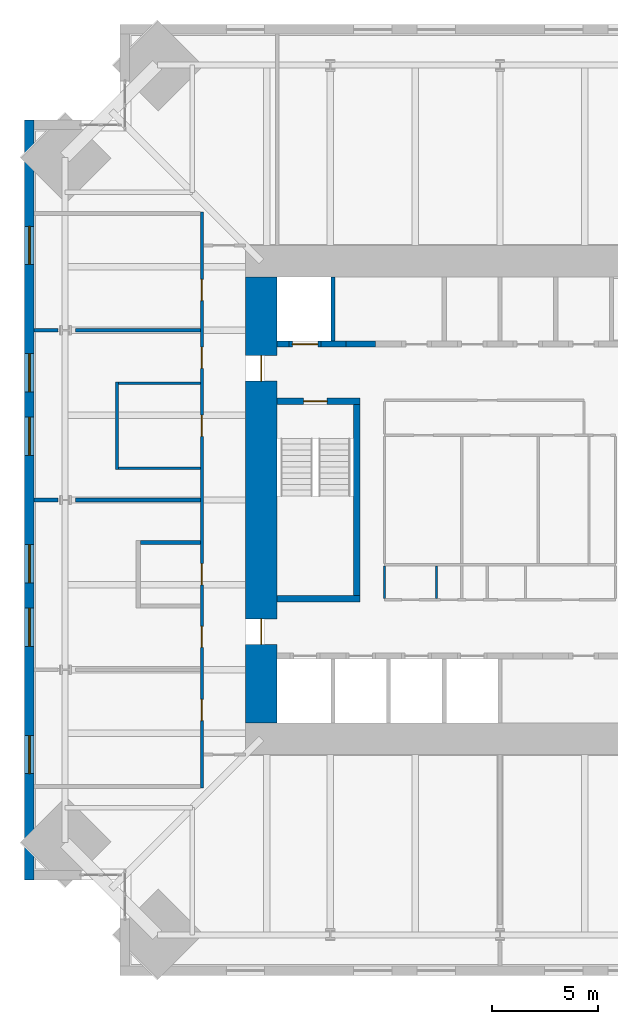
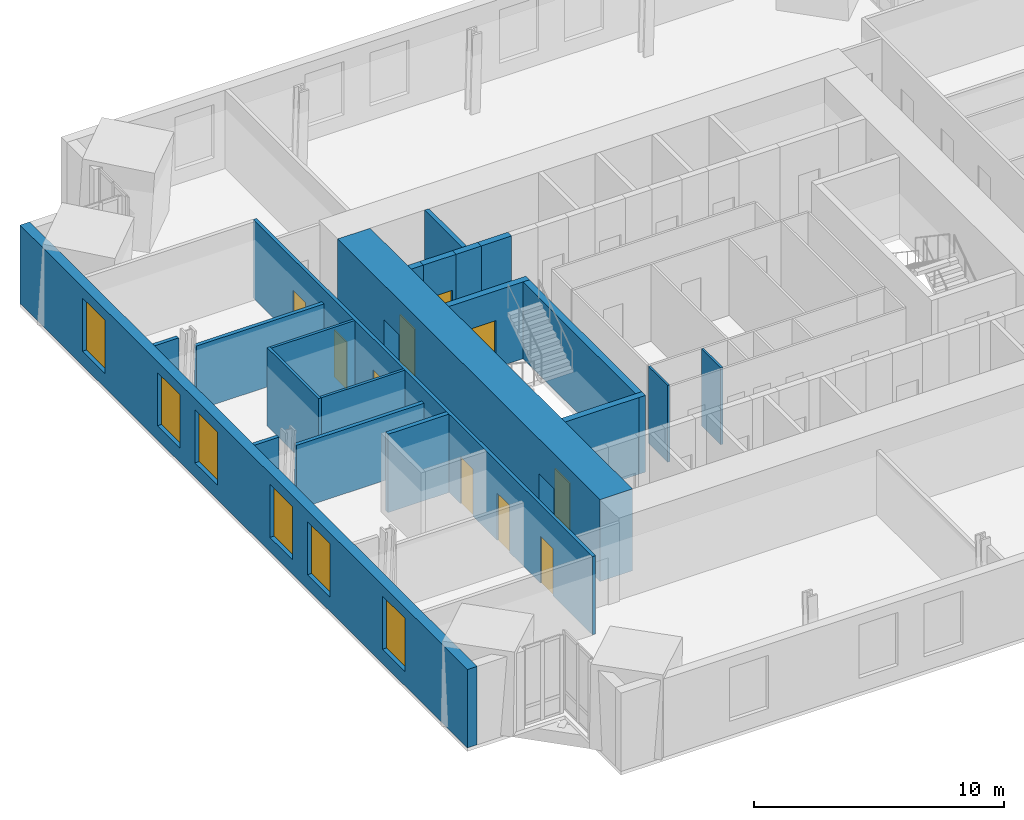
# One storey, part 13 of 17: 21 walls, 10 doors, 6 windows, 16 openings.
"""IFC4 building model written with IfcOpenShell, lengths in metres."""

from ifc_helpers import new_model, si_unit, direction, frame, frame_2d, origin, place, context, subcontext, project, spatial, rectangle, extrude, material, layer, layer_set, type_object, element, fill, save


model = new_model("IFC4")

# Units and contexts
model_context = context("Model", 3, precision=1e-05, world=origin(), true_north=direction((0.0, 1.0)))
body_context = subcontext(model_context, "Body", "Model", "MODEL_VIEW")
ifc_project = project(units=[si_unit("LENGTHUNIT", "METRE"), si_unit("AREAUNIT", "SQUARE_METRE"), si_unit("VOLUMEUNIT", "CUBIC_METRE"), si_unit("PLANEANGLEUNIT", "RADIAN"), si_unit("MASSUNIT", "GRAM", prefix="KILO")], contexts=[model_context])

# Site, building, storey
site_placement = place(None, origin())
site = spatial("IfcSite", under=ifc_project, at=site_placement, CompositionType="ELEMENT")
building_placement = place(site_placement, origin())
building = spatial("IfcBuilding", under=site, at=building_placement, Name="Peilmerk Tower", CompositionType="ELEMENT")
storey_placement = place(building_placement, frame((0.0, 0.0, 257.800048828125)))
storey = spatial("IfcBuildingStorey", under=building, at=storey_placement, Name="L57", CompositionType="ELEMENT", Elevation=257.800048828125)

# Wall, openings, windows
ifc_material_1 = material(Name="Precast concrete C45/55, board-marked finish", Category="concrete")
ifc_layer_1 = layer(ifc_material_1, 0.449951171875)
ifc_layer_set_1 = layer_set([ifc_layer_1], Name="Precast concrete C45/55, board-marked finish")
wall_type_1 = type_object("IfcWallType", Name="EW1 450 precast concrete facade wall, board-marked", PredefinedType="SOLIDWALL", material=ifc_layer_set_1)
wall_1_placement = place(storey_placement, frame((-22.175048828125, 17.89990234375, 0.0), z_axis=(0.0, 0.0, 1.0), x_axis=(0.0, -1.0, 0.0)))
wall_1 = element("IfcWall", 1, at=wall_1_placement, inside=storey, type_object=wall_type_1, Name="Facade wall W L57", PredefinedType="SOLIDWALL", context=body_context, shape_type="SweptSolid", body=[
    extrude(rectangle(XDim=35.7998046875, YDim=0.449951171875, at=frame_2d((17.89990234375, 0.0))), origin(), (0.0, 0.0, 1.0), 3.829833984375),
])
opening_1_placement = place(wall_1_placement, frame((5.0, 0.0, 0.699951171875)))
opening_1 = element("IfcOpeningElement", 2, at=opening_1_placement, cuts=wall_1, Name="Opening W1", PredefinedType="OPENING", context=body_context, shape_type="SweptSolid", body=[
    extrude(rectangle(XDim=1.800048828125, YDim=2.60009765625, at=frame_2d((0.89990234375, 1.300048828125))), frame((0.0, 0.23486328125, 0.0), z_axis=(0.0, -1.0, 0.0), x_axis=(1.0, 0.0, 0.0)), (0.0, 0.0, 1.0), 0.469970703125),
])
opening_2_placement = place(wall_1_placement, frame((11.0, 0.0, 0.699951171875)))
opening_2 = element("IfcOpeningElement", 3, at=opening_2_placement, cuts=wall_1, Name="Opening W1", PredefinedType="OPENING", context=body_context, shape_type="SweptSolid", body=[
    extrude(rectangle(XDim=1.800048828125, YDim=2.60009765625, at=frame_2d((0.89990234375, 1.300048828125))), frame((0.0, 0.23486328125, 0.0), z_axis=(0.0, -1.0, 0.0), x_axis=(1.0, 0.0, 0.0)), (0.0, 0.0, 1.0), 0.469970703125),
])
opening_3_placement = place(wall_1_placement, frame((14.0, 0.0, 0.699951171875)))
opening_3 = element("IfcOpeningElement", 4, at=opening_3_placement, cuts=wall_1, Name="Opening W1", PredefinedType="OPENING", context=body_context, shape_type="SweptSolid", body=[
    extrude(rectangle(XDim=1.800048828125, YDim=2.60009765625, at=frame_2d((0.89990234375, 1.300048828125))), frame((0.0, 0.23486328125, 0.0), z_axis=(0.0, -1.0, 0.0), x_axis=(1.0, 0.0, 0.0)), (0.0, 0.0, 1.0), 0.469970703125),
])
opening_4_placement = place(wall_1_placement, frame((20.0, 0.0, 0.699951171875)))
opening_4 = element("IfcOpeningElement", 5, at=opening_4_placement, cuts=wall_1, Name="Opening W1", PredefinedType="OPENING", context=body_context, shape_type="SweptSolid", body=[
    extrude(rectangle(XDim=1.800048828125, YDim=2.60009765625, at=frame_2d((0.89990234375, 1.300048828125))), frame((0.0, 0.23486328125, 0.0), z_axis=(0.0, -1.0, 0.0), x_axis=(1.0, 0.0, 0.0)), (0.0, 0.0, 1.0), 0.469970703125),
])
opening_5_placement = place(wall_1_placement, frame((23.0, 0.0, 0.699951171875)))
opening_5 = element("IfcOpeningElement", 6, at=opening_5_placement, cuts=wall_1, Name="Opening W1", PredefinedType="OPENING", context=body_context, shape_type="SweptSolid", body=[
    extrude(rectangle(XDim=1.800048828125, YDim=2.60009765625, at=frame_2d((0.89990234375, 1.300048828125))), frame((0.0, 0.23486328125, 0.0), z_axis=(0.0, -1.0, 0.0), x_axis=(1.0, 0.0, 0.0)), (0.0, 0.0, 1.0), 0.469970703125),
])
opening_6_placement = place(wall_1_placement, frame((29.0, 0.0, 0.699951171875)))
opening_6 = element("IfcOpeningElement", 7, at=opening_6_placement, cuts=wall_1, Name="Opening W1", PredefinedType="OPENING", context=body_context, shape_type="SweptSolid", body=[
    extrude(rectangle(XDim=1.800048828125, YDim=2.60009765625, at=frame_2d((0.89990234375, 1.300048828125))), frame((0.0, 0.23486328125, 0.0), z_axis=(0.0, -1.0, 0.0), x_axis=(1.0, 0.0, 0.0)), (0.0, 0.0, 1.0), 0.469970703125),
])
ifc_material_2 = material(Name="Aluminium frame, clear double glazing", Category="aluminium")
window_type = type_object("IfcWindowType", Name="W1 1800x2600 office window", PartitioningType="SINGLE_PANEL", PredefinedType="WINDOW", material=ifc_material_2)
window_1_placement = place(opening_1_placement, origin())
window_1 = element("IfcWindow", 8, at=window_1_placement, inside=storey, type_object=window_type, Name="Window W1 L57", OverallHeight=2.60009765625, OverallWidth=1.800048828125, PartitioningType="SINGLE_PANEL", PredefinedType="WINDOW", context=body_context, shape_type="SweptSolid", body=[
    extrude(rectangle(XDim=1.800048828125, YDim=2.60009765625, at=frame_2d((0.89990234375, 1.300048828125))), frame((0.0, 0.030029296875, 0.0), z_axis=(0.0, -1.0, 0.0), x_axis=(1.0, 0.0, 0.0)), (0.0, 0.0, 1.0), 0.06005859375),
])
fill(opening_1, window_1)
window_2_placement = place(opening_2_placement, origin())
window_2 = element("IfcWindow", 9, at=window_2_placement, inside=storey, type_object=window_type, Name="Window W1 L57", OverallHeight=2.60009765625, OverallWidth=1.800048828125, PartitioningType="SINGLE_PANEL", PredefinedType="WINDOW", context=body_context, shape_type="SweptSolid", body=[
    extrude(rectangle(XDim=1.800048828125, YDim=2.60009765625, at=frame_2d((0.89990234375, 1.300048828125))), frame((0.0, 0.030029296875, 0.0), z_axis=(0.0, -1.0, 0.0), x_axis=(1.0, 0.0, 0.0)), (0.0, 0.0, 1.0), 0.06005859375),
])
fill(opening_2, window_2)
window_3_placement = place(opening_3_placement, origin())
window_3 = element("IfcWindow", 10, at=window_3_placement, inside=storey, type_object=window_type, Name="Window W1 L57", OverallHeight=2.60009765625, OverallWidth=1.800048828125, PartitioningType="SINGLE_PANEL", PredefinedType="WINDOW", context=body_context, shape_type="SweptSolid", body=[
    extrude(rectangle(XDim=1.800048828125, YDim=2.60009765625, at=frame_2d((0.89990234375, 1.300048828125))), frame((0.0, 0.030029296875, 0.0), z_axis=(0.0, -1.0, 0.0), x_axis=(1.0, 0.0, 0.0)), (0.0, 0.0, 1.0), 0.06005859375),
])
fill(opening_3, window_3)
window_4_placement = place(opening_4_placement, origin())
window_4 = element("IfcWindow", 11, at=window_4_placement, inside=storey, type_object=window_type, Name="Window W1 L57", OverallHeight=2.60009765625, OverallWidth=1.800048828125, PartitioningType="SINGLE_PANEL", PredefinedType="WINDOW", context=body_context, shape_type="SweptSolid", body=[
    extrude(rectangle(XDim=1.800048828125, YDim=2.60009765625, at=frame_2d((0.89990234375, 1.300048828125))), frame((0.0, 0.030029296875, 0.0), z_axis=(0.0, -1.0, 0.0), x_axis=(1.0, 0.0, 0.0)), (0.0, 0.0, 1.0), 0.06005859375),
])
fill(opening_4, window_4)
window_5_placement = place(opening_5_placement, origin())
window_5 = element("IfcWindow", 12, at=window_5_placement, inside=storey, type_object=window_type, Name="Window W1 L57", OverallHeight=2.60009765625, OverallWidth=1.800048828125, PartitioningType="SINGLE_PANEL", PredefinedType="WINDOW", context=body_context, shape_type="SweptSolid", body=[
    extrude(rectangle(XDim=1.800048828125, YDim=2.60009765625, at=frame_2d((0.89990234375, 1.300048828125))), frame((0.0, 0.030029296875, 0.0), z_axis=(0.0, -1.0, 0.0), x_axis=(1.0, 0.0, 0.0)), (0.0, 0.0, 1.0), 0.06005859375),
])
fill(opening_5, window_5)
window_6_placement = place(opening_6_placement, origin())
window_6 = element("IfcWindow", 13, at=window_6_placement, inside=storey, type_object=window_type, Name="Window W1 L57", OverallHeight=2.60009765625, OverallWidth=1.800048828125, PartitioningType="SINGLE_PANEL", PredefinedType="WINDOW", context=body_context, shape_type="SweptSolid", body=[
    extrude(rectangle(XDim=1.800048828125, YDim=2.60009765625, at=frame_2d((0.89990234375, 1.300048828125))), frame((0.0, 0.030029296875, 0.0), z_axis=(0.0, -1.0, 0.0), x_axis=(1.0, 0.0, 0.0)), (0.0, 0.0, 1.0), 0.06005859375),
])
fill(opening_6, window_6)

# Wall, openings, doors
ifc_material_3 = material(Name="Calcium silicate block", Category="masonry")
ifc_layer_2 = layer(ifc_material_3, 0.14990234375)
ifc_layer_set_2 = layer_set([ifc_layer_2], Name="Calcium silicate block")
wall_type_2 = type_object("IfcWallType", Name="IW1 150 corridor partition, EI 60", PredefinedType="PARTITIONING", material=ifc_layer_set_2)
wall_2_placement = place(storey_placement, frame((-14.050048828125, 13.574951171875, 0.0), z_axis=(0.0, 0.0, 1.0), x_axis=(0.0, -1.0, 0.0)))
wall_2 = element("IfcWall", 14, at=wall_2_placement, inside=storey, type_object=wall_type_2, Name="Corridor wall W L57", PredefinedType="PARTITIONING", context=body_context, shape_type="SweptSolid", body=[
    extrude(rectangle(XDim=27.14990234375, YDim=0.14990234375, at=frame_2d((13.574951171875, 0.0))), origin(), (0.0, 0.0, 1.0), 3.829833984375),
])
opening_7_placement = place(wall_2_placement, frame((22.97509765625, 0.0, 0.0)))
opening_7 = element("IfcOpeningElement", 15, at=opening_7_placement, cuts=wall_2, Name="Opening D1", PredefinedType="OPENING", context=body_context, shape_type="SweptSolid", body=[
    extrude(rectangle(XDim=1.0, YDim=2.300048828125, at=frame_2d((0.5, 1.14990234375))), frame((0.0, 0.0849609375, 0.0), z_axis=(0.0, -1.0, 0.0), x_axis=(1.0, 0.0, 0.0)), (0.0, 0.0, 1.0), 0.169921875),
])
opening_8_placement = place(wall_2_placement, frame((19.52490234375, 0.0, 0.0)))
opening_8 = element("IfcOpeningElement", 16, at=opening_8_placement, cuts=wall_2, Name="Opening D1", PredefinedType="OPENING", context=body_context, shape_type="SweptSolid", body=[
    extrude(rectangle(XDim=1.0, YDim=2.300048828125, at=frame_2d((0.5, 1.14990234375))), frame((0.0, 0.0849609375, 0.0), z_axis=(0.0, -1.0, 0.0), x_axis=(1.0, 0.0, 0.0)), (0.0, 0.0, 1.0), 0.169921875),
])
opening_9_placement = place(wall_2_placement, frame((6.375, 0.0, 0.0)))
opening_9 = element("IfcOpeningElement", 17, at=opening_9_placement, cuts=wall_2, Name="Opening D1", PredefinedType="OPENING", context=body_context, shape_type="SweptSolid", body=[
    extrude(rectangle(XDim=1.0, YDim=2.300048828125, at=frame_2d((0.5, 1.14990234375))), frame((0.0, 0.0849609375, 0.0), z_axis=(0.0, -1.0, 0.0), x_axis=(1.0, 0.0, 0.0)), (0.0, 0.0, 1.0), 0.169921875),
])
opening_10_placement = place(wall_2_placement, frame((3.175048828125, 0.0, 0.0)))
opening_10 = element("IfcOpeningElement", 18, at=opening_10_placement, cuts=wall_2, Name="Opening D1", PredefinedType="OPENING", context=body_context, shape_type="SweptSolid", body=[
    extrude(rectangle(XDim=1.0, YDim=2.300048828125, at=frame_2d((0.5, 1.14990234375))), frame((0.0, 0.0849609375, 0.0), z_axis=(0.0, -1.0, 0.0), x_axis=(1.0, 0.0, 0.0)), (0.0, 0.0, 1.0), 0.169921875),
])
opening_11_placement = place(wall_2_placement, frame((9.574951171875, 0.0, 0.0)))
opening_11 = element("IfcOpeningElement", 19, at=opening_11_placement, cuts=wall_2, Name="Opening D1", PredefinedType="OPENING", context=body_context, shape_type="SweptSolid", body=[
    extrude(rectangle(XDim=1.0, YDim=2.300048828125, at=frame_2d((0.5, 1.14990234375))), frame((0.0, 0.0849609375, 0.0), z_axis=(0.0, -1.0, 0.0), x_axis=(1.0, 0.0, 0.0)), (0.0, 0.0, 1.0), 0.169921875),
])
opening_12_placement = place(wall_2_placement, frame((16.574951171875, 0.0, 0.0)))
opening_12 = element("IfcOpeningElement", 20, at=opening_12_placement, cuts=wall_2, Name="Opening D1", PredefinedType="OPENING", context=body_context, shape_type="SweptSolid", body=[
    extrude(rectangle(XDim=1.0, YDim=2.300048828125, at=frame_2d((0.5, 1.14990234375))), frame((0.0, 0.0849609375, 0.0), z_axis=(0.0, -1.0, 0.0), x_axis=(1.0, 0.0, 0.0)), (0.0, 0.0, 1.0), 0.169921875),
])
ifc_material_4 = material(Name="Timber door in steel frame", Category="steel")
door_type_1 = type_object("IfcDoorType", Name="D1 1000x2300 room door, EI2 30", OperationType="SINGLE_SWING_LEFT", PredefinedType="DOOR", material=ifc_material_4)
door_1_placement = place(opening_7_placement, frame((1.0, 0.0, 0.0), z_axis=(0.0, 0.0, 1.0), x_axis=(-1.0, 0.0, 0.0)))
door_1 = element("IfcDoor", 21, at=door_1_placement, inside=storey, type_object=door_type_1, Name="Door Office L57", OperationType="SINGLE_SWING_LEFT", OverallHeight=2.300048828125, OverallWidth=1.0, PredefinedType="DOOR", context=body_context, shape_type="SweptSolid", body=[
    extrude(rectangle(XDim=1.0, YDim=2.300048828125, at=frame_2d((0.5, 1.14990234375))), frame((0.0, 0.02490234375, 0.0), z_axis=(0.0, -1.0, 0.0), x_axis=(1.0, 0.0, 0.0)), (0.0, 0.0, 1.0), 0.050048828125),
])
fill(opening_7, door_1)
door_2_placement = place(opening_8_placement, frame((1.0, 0.0, 0.0), z_axis=(0.0, 0.0, 1.0), x_axis=(-1.0, 0.0, 0.0)))
door_2 = element("IfcDoor", 22, at=door_2_placement, inside=storey, type_object=door_type_1, Name="Door Office L57", OperationType="SINGLE_SWING_LEFT", OverallHeight=2.300048828125, OverallWidth=1.0, PredefinedType="DOOR", context=body_context, shape_type="SweptSolid", body=[
    extrude(rectangle(XDim=1.0, YDim=2.300048828125, at=frame_2d((0.5, 1.14990234375))), frame((0.0, 0.02490234375, 0.0), z_axis=(0.0, -1.0, 0.0), x_axis=(1.0, 0.0, 0.0)), (0.0, 0.0, 1.0), 0.050048828125),
])
fill(opening_8, door_2)
door_3_placement = place(opening_9_placement, frame((1.0, 0.0, 0.0), z_axis=(0.0, 0.0, 1.0), x_axis=(-1.0, 0.0, 0.0)))
door_3 = element("IfcDoor", 23, at=door_3_placement, inside=storey, type_object=door_type_1, Name="Door Office L57", OperationType="SINGLE_SWING_LEFT", OverallHeight=2.300048828125, OverallWidth=1.0, PredefinedType="DOOR", context=body_context, shape_type="SweptSolid", body=[
    extrude(rectangle(XDim=1.0, YDim=2.300048828125, at=frame_2d((0.5, 1.14990234375))), frame((0.0, 0.02490234375, 0.0), z_axis=(0.0, -1.0, 0.0), x_axis=(1.0, 0.0, 0.0)), (0.0, 0.0, 1.0), 0.050048828125),
])
fill(opening_9, door_3)
door_4_placement = place(opening_10_placement, frame((1.0, 0.0, 0.0), z_axis=(0.0, 0.0, 1.0), x_axis=(-1.0, 0.0, 0.0)))
door_4 = element("IfcDoor", 24, at=door_4_placement, inside=storey, type_object=door_type_1, Name="Door Office L57", OperationType="SINGLE_SWING_LEFT", OverallHeight=2.300048828125, OverallWidth=1.0, PredefinedType="DOOR", context=body_context, shape_type="SweptSolid", body=[
    extrude(rectangle(XDim=1.0, YDim=2.300048828125, at=frame_2d((0.5, 1.14990234375))), frame((0.0, 0.02490234375, 0.0), z_axis=(0.0, -1.0, 0.0), x_axis=(1.0, 0.0, 0.0)), (0.0, 0.0, 1.0), 0.050048828125),
])
fill(opening_10, door_4)
door_5_placement = place(opening_11_placement, frame((1.0, 0.0, 0.0), z_axis=(0.0, 0.0, 1.0), x_axis=(-1.0, 0.0, 0.0)))
door_5 = element("IfcDoor", 25, at=door_5_placement, inside=storey, type_object=door_type_1, Name="Door Meeting room L57", OperationType="SINGLE_SWING_LEFT", OverallHeight=2.300048828125, OverallWidth=1.0, PredefinedType="DOOR", context=body_context, shape_type="SweptSolid", body=[
    extrude(rectangle(XDim=1.0, YDim=2.300048828125, at=frame_2d((0.5, 1.14990234375))), frame((0.0, 0.02490234375, 0.0), z_axis=(0.0, -1.0, 0.0), x_axis=(1.0, 0.0, 0.0)), (0.0, 0.0, 1.0), 0.050048828125),
])
fill(opening_11, door_5)
door_6_placement = place(opening_12_placement, frame((1.0, 0.0, 0.0), z_axis=(0.0, 0.0, 1.0), x_axis=(-1.0, 0.0, 0.0)))
door_6 = element("IfcDoor", 26, at=door_6_placement, inside=storey, type_object=door_type_1, Name="Door Print room L57", OperationType="SINGLE_SWING_LEFT", OverallHeight=2.300048828125, OverallWidth=1.0, PredefinedType="DOOR", context=body_context, shape_type="SweptSolid", body=[
    extrude(rectangle(XDim=1.0, YDim=2.300048828125, at=frame_2d((0.5, 1.14990234375))), frame((0.0, 0.02490234375, 0.0), z_axis=(0.0, -1.0, 0.0), x_axis=(1.0, 0.0, 0.0)), (0.0, 0.0, 1.0), 0.050048828125),
])
fill(opening_12, door_6)

# Walls
ifc_layer_3 = layer(ifc_material_3, 0.199951171875)
ifc_layer_set_3 = layer_set([ifc_layer_3], Name="Calcium silicate block")
wall_type_3 = type_object("IfcWallType", Name="IW2 200 room separating wall, EI 120", PredefinedType="PARTITIONING", material=ifc_layer_set_3)
wall_3_placement = place(storey_placement, frame((-14.125, -2.0, 0.0), z_axis=(0.0, 0.0, 1.0), x_axis=(-1.0, 0.0, 0.0)))
element("IfcWall", 27, at=wall_3_placement, inside=storey, type_object=wall_type_3, Name="Room separating wall Print room L57", PredefinedType="PARTITIONING", context=body_context, shape_type="SweptSolid", body=[
    extrude(rectangle(XDim=2.824951171875, YDim=0.199951171875, at=frame_2d((1.41259765625, 0.0))), origin(), (0.0, 0.0, 1.0), 3.829833984375),
])
ifc_material_5 = material(Name="Concrete C35/45", Category="concrete")
ifc_layer_4 = layer(ifc_material_5, 0.300048828125)
ifc_layer_set_4 = layer_set([ifc_layer_4], Name="Concrete C35/45")
wall_type_4 = type_object("IfcWallType", Name="IW3 300 concrete stair enclosure wall, EI 120", PredefinedType="SOLIDWALL", material=ifc_layer_set_4)
wall_4_placement = place(storey_placement, frame((-6.75, -4.800048828125, 0.0), z_axis=(0.0, 0.0, 1.0), x_axis=(0.0, 1.0, 0.0)))
element("IfcWall", 28, at=wall_4_placement, inside=storey, type_object=wall_type_4, Name="Stair 1 enclosure L57", PredefinedType="SOLIDWALL", context=body_context, shape_type="SweptSolid", body=[
    extrude(rectangle(XDim=9.60009765625, YDim=0.300048828125, at=frame_2d((4.800048828125, 0.0))), origin(), (0.0, 0.0, 1.0), 3.75),
])

# Wall, opening, door
wall_5_placement = place(storey_placement, frame((-10.5, 4.64990234375, 0.0), z_axis=(0.0, 0.0, 1.0), x_axis=(1.0, 0.0, 0.0)))
wall_5 = element("IfcWall", 29, at=wall_5_placement, inside=storey, type_object=wall_type_4, Name="Stair 1 enclosure L57", PredefinedType="SOLIDWALL", context=body_context, shape_type="SweptSolid", body=[
    extrude(rectangle(XDim=3.89990234375, YDim=0.300048828125, at=frame_2d((1.949951171875, 0.0))), origin(), (0.0, 0.0, 1.0), 3.75),
])
opening_13_placement = place(wall_5_placement, frame((1.25, 0.0, 0.0)))
opening_13 = element("IfcOpeningElement", 30, at=opening_13_placement, cuts=wall_5, Name="Opening D4", PredefinedType="OPENING", context=body_context, shape_type="SweptSolid", body=[
    extrude(rectangle(XDim=1.10009765625, YDim=2.300048828125, at=frame_2d((0.550048828125, 1.14990234375))), frame((0.0, 0.159912109375, 0.0), z_axis=(0.0, -1.0, 0.0), x_axis=(1.0, 0.0, 0.0)), (0.0, 0.0, 1.0), 0.320068359375),
])
ifc_material_6 = material(Name="Steel door in steel frame", Category="steel")
door_type_2 = type_object("IfcDoorType", Name="D4 1100x2300 stair door, EI2 60", OperationType="SINGLE_SWING_RIGHT", PredefinedType="DOOR", material=ifc_material_6)
door_7_placement = place(opening_13_placement, frame((1.10009765625, 0.0, 0.0), z_axis=(0.0, 0.0, 1.0), x_axis=(-1.0, 0.0, 0.0)))
door_7 = element("IfcDoor", 31, at=door_7_placement, inside=storey, type_object=door_type_2, Name="Stair 1 door L57", OperationType="SINGLE_SWING_RIGHT", OverallHeight=2.300048828125, OverallWidth=1.10009765625, PredefinedType="DOOR", context=body_context, shape_type="SweptSolid", body=[
    extrude(rectangle(XDim=1.10009765625, YDim=2.300048828125, at=frame_2d((0.550048828125, 1.14990234375))), frame((0.0, 0.02490234375, 0.0), z_axis=(0.0, -1.0, 0.0), x_axis=(1.0, 0.0, 0.0)), (0.0, 0.0, 1.0), 0.050048828125),
])
fill(opening_13, door_7)

# Walls
wall_6_placement = place(storey_placement, frame((-6.60009765625, -4.64990234375, 0.0), z_axis=(0.0, 0.0, 1.0), x_axis=(-1.0, 0.0, 0.0)))
element("IfcWall", 32, at=wall_6_placement, inside=storey, type_object=wall_type_4, Name="Stair 1 enclosure L57", PredefinedType="SOLIDWALL", context=body_context, shape_type="SweptSolid", body=[
    extrude(rectangle(XDim=3.89990234375, YDim=0.300048828125, at=frame_2d((1.949951171875, 0.0))), origin(), (0.0, 0.0, 1.0), 3.75),
])
ifc_material_7 = material(Name="Calcium silicate board on steel studs", Category="steel")
ifc_layer_5 = layer(ifc_material_7, 0.10009765625)
ifc_layer_set_5 = layer_set([ifc_layer_5], Name="Calcium silicate board on steel studs")
wall_type_5 = type_object("IfcWallType", Name="IW5 100 riser enclosure wall, EI 60", PredefinedType="PARTITIONING", material=ifc_layer_set_5)
for number, where, z_axis, x_axis, name in (
    (33, (-5.449951171875, -3.10009765625, 0.0), (0.0, 0.0, 1.0), (0.0, -1.0, 0.0), "Riser wall L57"),
    (34, (-3.0, -3.10009765625, 0.0), (0.0, 0.0, 1.0), (0.0, -1.0, 0.0), "Riser wall L57"),
):
    element("IfcWall", number, at=place(storey_placement, frame(where, z_axis=z_axis, x_axis=x_axis)), inside=storey, type_object=wall_type_5, Name=name, PredefinedType="PARTITIONING", context=body_context, shape_type="SweptSolid", body=[
        extrude(rectangle(XDim=1.5498046875, YDim=0.10009765625, at=frame_2d((0.77490234375, 0.0))), origin(), (0.0, 0.0, 1.0), 3.75),
    ])
ifc_material_8 = material(Name="Plasterboard on steel studs, double boarded with mineral wool", Category="steel")
ifc_layer_6 = layer(ifc_material_8, 0.125)
ifc_layer_set_6 = layer_set([ifc_layer_6], Name="Plasterboard on steel studs, double boarded with mineral wool")
wall_type_6 = type_object("IfcWallType", Name="IW7 125 acoustic partition, EI 30", PredefinedType="PARTITIONING", material=ifc_layer_set_6)
wall_7_placement = place(storey_placement, frame((-18.050048828125, 1.4375, 0.0), z_axis=(0.0, 0.0, 1.0), x_axis=(0.0, 1.0, 0.0)))
element("IfcWall", 35, at=wall_7_placement, inside=storey, type_object=wall_type_6, Name="Acoustic partition Meeting room L57", PredefinedType="PARTITIONING", context=body_context, shape_type="SweptSolid", body=[
    extrude(rectangle(XDim=4.125, YDim=0.125, at=frame_2d((2.0625, 0.0))), origin(), (0.0, 0.0, 1.0), 3.829833984375),
])
for number, where, z_axis, x_axis, name in (
    (36, (-14.125, 1.5, 0.0), (0.0, 0.0, 1.0), (-1.0, 0.0, 0.0), "Acoustic partition Meeting room L57"),
    (37, (-14.125, 5.5, 0.0), (0.0, 0.0, 1.0), (-1.0, 0.0, 0.0), "Acoustic partition Meeting room L57"),
):
    element("IfcWall", number, at=place(storey_placement, frame(where, z_axis=z_axis, x_axis=x_axis)), inside=storey, type_object=wall_type_6, Name=name, PredefinedType="PARTITIONING", context=body_context, shape_type="SweptSolid", body=[
        extrude(rectangle(XDim=3.862548828125, YDim=0.125, at=frame_2d((1.93115234375, 0.0))), origin(), (0.0, 0.0, 1.0), 3.829833984375),
    ])
ifc_layer_7 = layer(ifc_material_3, 0.175048828125)
ifc_layer_set_7 = layer_set([ifc_layer_7], Name="Calcium silicate block")
wall_type_7 = type_object("IfcWallType", Name="IW8 175 tenant separating wall, EI 60", PredefinedType="PARTITIONING", material=ifc_layer_set_7)
wall_8_placement = place(storey_placement, frame((-14.125, 0.0, 0.0), z_axis=(0.0, 0.0, 1.0), x_axis=(-1.0, 0.0, 0.0)))
element("IfcWall", 38, at=wall_8_placement, inside=storey, type_object=wall_type_7, Name="Tenant separating wall W2 L57", PredefinedType="PARTITIONING", context=body_context, shape_type="SweptSolid", body=[
    extrude(rectangle(XDim=5.8857421875, YDim=0.175048828125, at=frame_2d((2.94287109375, 0.0))), origin(), (0.0, 0.0, 1.0), 3.139892578125),
])
wall_9_placement = place(storey_placement, frame((-20.831298828125, 0.0, 0.0), z_axis=(0.0, 0.0, 1.0), x_axis=(-1.0, 0.0, 0.0)))
element("IfcWall", 39, at=wall_9_placement, inside=storey, type_object=wall_type_7, Name="Tenant separating wall W2b L57", PredefinedType="PARTITIONING", context=body_context, shape_type="SweptSolid", body=[
    extrude(rectangle(XDim=1.11865234375, YDim=0.175048828125, at=frame_2d((0.559326171875, 0.0))), origin(), (0.0, 0.0, 1.0), 3.829833984375),
])
wall_10_placement = place(storey_placement, frame((-14.125, 8.0, 0.0), z_axis=(0.0, 0.0, 1.0), x_axis=(-1.0, 0.0, 0.0)))
element("IfcWall", 40, at=wall_10_placement, inside=storey, type_object=wall_type_7, Name="Tenant separating wall W3 L57", PredefinedType="PARTITIONING", context=body_context, shape_type="SweptSolid", body=[
    extrude(rectangle(XDim=5.8857421875, YDim=0.175048828125, at=frame_2d((2.94287109375, 0.0))), origin(), (0.0, 0.0, 1.0), 3.139892578125),
])
wall_11_placement = place(storey_placement, frame((-20.831298828125, 8.0, 0.0), z_axis=(0.0, 0.0, 1.0), x_axis=(-1.0, 0.0, 0.0)))
element("IfcWall", 41, at=wall_11_placement, inside=storey, type_object=wall_type_7, Name="Tenant separating wall W3b L57", PredefinedType="PARTITIONING", context=body_context, shape_type="SweptSolid", body=[
    extrude(rectangle(XDim=1.11865234375, YDim=0.175048828125, at=frame_2d((0.559326171875, 0.0))), origin(), (0.0, 0.0, 1.0), 3.829833984375),
])
ifc_layer_8 = layer(ifc_material_3, 0.199951171875)
ifc_layer_set_8 = layer_set([ifc_layer_8], Name="Calcium silicate block")
wall_type_8 = type_object("IfcWallType", Name="SH1 200 shaft dividing wall, EI 120", PredefinedType="PARTITIONING", material=ifc_layer_set_8)
wall_12_placement = place(storey_placement, frame((-7.875, 7.5, 0.0), z_axis=(0.0, 0.0, 1.0), x_axis=(0.0, 1.0, 0.0)))
element("IfcWall", 42, at=wall_12_placement, inside=storey, type_object=wall_type_8, Name="Shaft wall N FL1 L57", PredefinedType="PARTITIONING", context=body_context, shape_type="SweptSolid", body=[
    extrude(rectangle(XDim=3.0, YDim=0.199951171875, at=frame_2d((1.5, 0.0))), origin(), (0.0, 0.0, 1.0), 4.0),
])

# Wall, opening, door
ifc_layer_9 = layer(ifc_material_3, 0.300048828125)
ifc_layer_set_9 = layer_set([ifc_layer_9], Name="Calcium silicate block")
wall_type_9 = type_object("IfcWallType", Name="SH2 300 lift landing door panel, EI 120", PredefinedType="PARTITIONING", material=ifc_layer_set_9)
wall_13_placement = place(storey_placement, frame((-9.9375, 7.35009765625, 0.0), z_axis=(0.0, 0.0, 1.0), x_axis=(1.0, 0.0, 0.0)))
wall_13 = element("IfcWall", 43, at=wall_13_placement, inside=storey, type_object=wall_type_9, Name="Lift door panel N FL1 L57", PredefinedType="PARTITIONING", context=body_context, shape_type="SweptSolid", body=[
    extrude(rectangle(XDim=1.5, YDim=0.300048828125, at=frame_2d((0.75, 0.0))), origin(), (0.0, 0.0, 1.0), 4.0),
])
opening_14_placement = place(wall_13_placement, frame((0.14990234375, 0.0, 0.0)))
opening_14 = element("IfcOpeningElement", 44, at=opening_14_placement, cuts=wall_13, Name="Opening LD2", PredefinedType="OPENING", context=body_context, shape_type="SweptSolid", body=[
    extrude(rectangle(XDim=1.199951171875, YDim=2.300048828125, at=frame_2d((0.60009765625, 1.14990234375))), frame((0.0, 0.159912109375, 0.0), z_axis=(0.0, -1.0, 0.0), x_axis=(1.0, 0.0, 0.0)), (0.0, 0.0, 1.0), 0.320068359375),
])
ifc_material_9 = material(Name="Stainless steel landing door", Category="steel")
door_type_3 = type_object("IfcDoorType", Name="LD2 1200x2300 lift landing door, sliding, EI2 60", OperationType="SLIDING_TO_LEFT", PredefinedType="DOOR", material=ifc_material_9)
door_8_placement = place(opening_14_placement, frame((1.199951171875, 0.0, 0.0), z_axis=(0.0, 0.0, 1.0), x_axis=(-1.0, 0.0, 0.0)))
door_8 = element("IfcDoor", 45, at=door_8_placement, inside=storey, type_object=door_type_3, Name="Lift landing door FL1 L57", OperationType="SLIDING_TO_LEFT", OverallHeight=2.300048828125, OverallWidth=1.199951171875, PredefinedType="DOOR", context=body_context, shape_type="SweptSolid", body=[
    extrude(rectangle(XDim=1.199951171875, YDim=2.300048828125, at=frame_2d((0.60009765625, 1.14990234375))), frame((0.0, 0.02490234375, 0.0), z_axis=(0.0, -1.0, 0.0), x_axis=(1.0, 0.0, 0.0)), (0.0, 0.0, 1.0), 0.050048828125),
])
fill(opening_14, door_8)

# Wall
wall_14_placement = place(storey_placement, frame((-7.262451171875, 7.35009765625, 0.0), z_axis=(0.0, 0.0, 1.0), x_axis=(1.0, 0.0, 0.0)))
element("IfcWall", 46, at=wall_14_placement, inside=storey, type_object=wall_type_9, Name="Lift door panel N A1 L57", PredefinedType="PARTITIONING", context=body_context, shape_type="SweptSolid", body=[
    extrude(rectangle(XDim=1.39990234375, YDim=0.300048828125, at=frame_2d((0.699951171875, 0.0))), origin(), (0.0, 0.0, 1.0), 4.0),
])

# Wall, openings, doors
ifc_material_10 = material(Name="Concrete C55/67", Category="concrete")
ifc_layer_10 = layer(ifc_material_10, 1.5)
ifc_layer_set_10 = layer_set([ifc_layer_10], Name="Concrete C55/67")
wall_type_10 = type_object("IfcWallType", Name="SW1 1500 core wall", PredefinedType="SHEAR", material=ifc_layer_set_10)
wall_15_placement = place(storey_placement, frame((-11.25, -10.5, 0.0), z_axis=(0.0, 0.0, 1.0), x_axis=(0.0, 1.0, 0.0)))
wall_15 = element("IfcWall", 47, at=wall_15_placement, inside=storey, type_object=wall_type_10, Name="Core wall W L57", PredefinedType="SHEAR", context=body_context, shape_type="SweptSolid", body=[
    extrude(rectangle(XDim=21.0, YDim=1.5, at=frame_2d((10.5, 0.0))), origin(), (0.0, 0.0, 1.0), 4.0),
])
opening_15_placement = place(wall_15_placement, frame((16.10009765625, 0.0, 0.0)))
opening_15 = element("IfcOpeningElement", 48, at=opening_15_placement, cuts=wall_15, Name="Opening D3", PredefinedType="OPENING", context=body_context, shape_type="SweptSolid", body=[
    extrude(rectangle(XDim=1.199951171875, YDim=2.300048828125, at=frame_2d((0.60009765625, 1.14990234375))), frame((0.0, 0.760009765625, 0.0), z_axis=(0.0, -1.0, 0.0), x_axis=(1.0, 0.0, 0.0)), (0.0, 0.0, 1.0), 1.52001953125),
])
opening_16_placement = place(wall_15_placement, frame((3.699951171875, 0.0, 0.0)))
opening_16 = element("IfcOpeningElement", 49, at=opening_16_placement, cuts=wall_15, Name="Opening D3", PredefinedType="OPENING", context=body_context, shape_type="SweptSolid", body=[
    extrude(rectangle(XDim=1.199951171875, YDim=2.300048828125, at=frame_2d((0.60009765625, 1.14990234375))), frame((0.0, 0.760009765625, 0.0), z_axis=(0.0, -1.0, 0.0), x_axis=(1.0, 0.0, 0.0)), (0.0, 0.0, 1.0), 1.52001953125),
])
door_type_4 = type_object("IfcDoorType", Name="D3 1200x2300 core door, EI2 60", OperationType="SINGLE_SWING_LEFT", PredefinedType="DOOR", material=ifc_material_6)
door_9_placement = place(opening_15_placement, frame((1.199951171875, 0.0, 0.0), z_axis=(0.0, 0.0, 1.0), x_axis=(-1.0, 0.0, 0.0)))
door_9 = element("IfcDoor", 50, at=door_9_placement, inside=storey, type_object=door_type_4, Name="Core door L57", OperationType="SINGLE_SWING_LEFT", OverallHeight=2.300048828125, OverallWidth=1.199951171875, PredefinedType="DOOR", context=body_context, shape_type="SweptSolid", body=[
    extrude(rectangle(XDim=1.199951171875, YDim=2.300048828125, at=frame_2d((0.60009765625, 1.14990234375))), frame((0.0, 0.02490234375, 0.0), z_axis=(0.0, -1.0, 0.0), x_axis=(1.0, 0.0, 0.0)), (0.0, 0.0, 1.0), 0.050048828125),
])
fill(opening_15, door_9)
door_10_placement = place(opening_16_placement, frame((1.199951171875, 0.0, 0.0), z_axis=(0.0, 0.0, 1.0), x_axis=(-1.0, 0.0, 0.0)))
door_10 = element("IfcDoor", 51, at=door_10_placement, inside=storey, type_object=door_type_4, Name="Core door L57", OperationType="SINGLE_SWING_LEFT", OverallHeight=2.300048828125, OverallWidth=1.199951171875, PredefinedType="DOOR", context=body_context, shape_type="SweptSolid", body=[
    extrude(rectangle(XDim=1.199951171875, YDim=2.300048828125, at=frame_2d((0.60009765625, 1.14990234375))), frame((0.0, 0.02490234375, 0.0), z_axis=(0.0, -1.0, 0.0), x_axis=(1.0, 0.0, 0.0)), (0.0, 0.0, 1.0), 0.050048828125),
])
fill(opening_16, door_10)

# Walls
ifc_layer_11 = layer(ifc_material_10, 0.300048828125)
ifc_layer_set_11 = layer_set([ifc_layer_11], Name="Concrete C55/67")
wall_type_11 = type_object("IfcWallType", Name="SW2 300 lift bank pier", PredefinedType="SHEAR", material=ifc_layer_set_11)
wall_16_placement = place(storey_placement, frame((-10.5, 7.35009765625, 0.0), z_axis=(0.0, 0.0, 1.0), x_axis=(1.0, 0.0, 0.0)))
element("IfcWall", 52, at=wall_16_placement, inside=storey, type_object=wall_type_11, Name="Lift bank pier N L57", PredefinedType="SHEAR", context=body_context, shape_type="SweptSolid", body=[
    extrude(rectangle(XDim=0.5625, YDim=0.300048828125, at=frame_2d((0.28125, 0.0))), origin(), (0.0, 0.0, 1.0), 4.0),
])
wall_17_placement = place(storey_placement, frame((-8.4375, 7.35009765625, 0.0), z_axis=(0.0, 0.0, 1.0), x_axis=(1.0, 0.0, 0.0)))
element("IfcWall", 53, at=wall_17_placement, inside=storey, type_object=wall_type_11, Name="Lift bank pier N L57", PredefinedType="SHEAR", context=body_context, shape_type="SweptSolid", body=[
    extrude(rectangle(XDim=1.175048828125, YDim=0.300048828125, at=frame_2d((0.58740234375, 0.0))), origin(), (0.0, 0.0, 1.0), 4.0),
])

save(model, "model.ifc")
